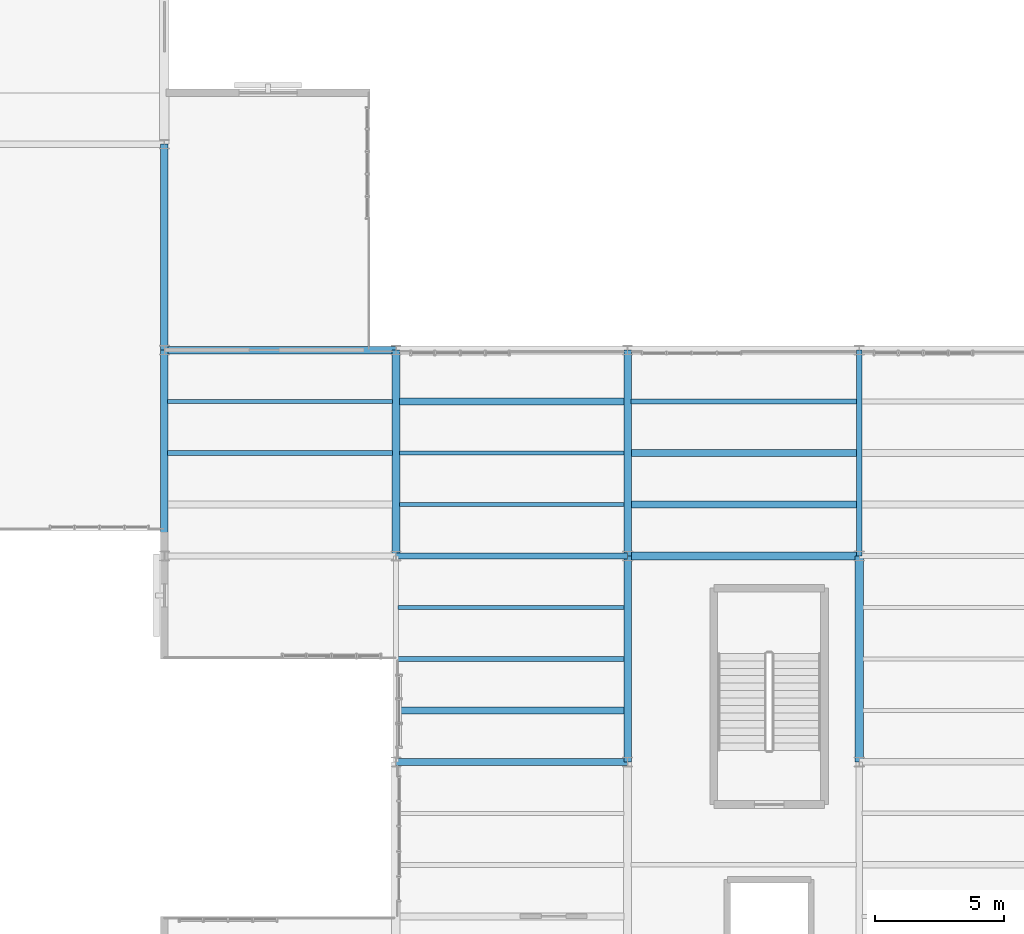
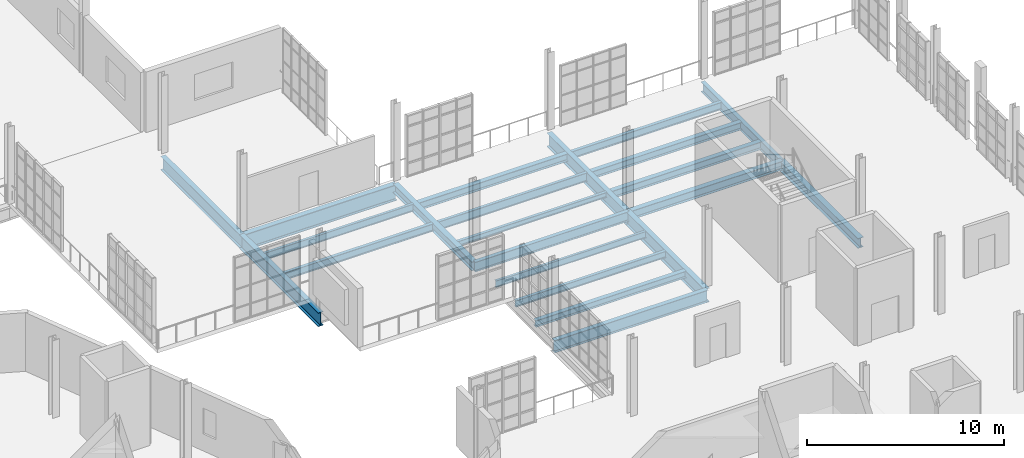
# One storey, part 39 of 122: 22 beams.
"""IFC4 building model written with IfcOpenShell, lengths in metres."""

from ifc_helpers import new_model, si_unit, direction, frame, origin, origin_2d, place, context, subcontext, project, spatial, i_section, extrude, material, material_profile, profile_set, type_object, element, save


model = new_model("IFC4")

# Units and contexts
model_context = context("Model", 3, precision=1e-05, world=origin(), true_north=direction((0.0, 1.0)))
body_context = subcontext(model_context, "Body", "Model", "MODEL_VIEW")
ifc_project = project(units=[si_unit("LENGTHUNIT", "METRE"), si_unit("AREAUNIT", "SQUARE_METRE"), si_unit("VOLUMEUNIT", "CUBIC_METRE"), si_unit("PLANEANGLEUNIT", "RADIAN"), si_unit("MASSUNIT", "GRAM", prefix="KILO"), si_unit("THERMODYNAMICTEMPERATUREUNIT", "KELVIN"), si_unit("POWERUNIT", "WATT")], contexts=[model_context])

# Site, building, storey
site_placement = place(None, origin())
site = spatial("IfcSite", under=ifc_project, at=site_placement, CompositionType="ELEMENT")
building_placement = place(site_placement, origin())
building = spatial("IfcBuilding", under=site, at=building_placement, Name="Zelmaris Science Centre", CompositionType="ELEMENT")
storey_placement = place(building_placement, frame((0.0, 0.0, 10.800048828125)))
storey = spatial("IfcBuildingStorey", under=building, at=storey_placement, Name="L02", CompositionType="ELEMENT", Elevation=10.800048828125)

# Beams
ifc_material = material(Name="Steel ASTM A992 Grade 50", Category="steel")
ifc_material_profile_1 = material_profile(ifc_material, i_section(OverallWidth=0.294921875, OverallDepth=0.85107421875, WebThickness=0.01611328125, FlangeThickness=0.02685546875, FilletRadius=0.02001953125, at=origin_2d()), Name="W33X152")
ifc_profile_set_1 = profile_set([ifc_material_profile_1], Name="Steel ASTM A992 Grade 50")
beam_type_1 = type_object("IfcBeamType", Name="Beam G-06 W33X152", PredefinedType="BEAM", material=ifc_profile_set_1)
beam_1_placement = place(storey_placement, frame((126.0, 40.0, -0.685546875), z_axis=(0.0, 1.0, 0.0), x_axis=(-1.0, 0.0, 0.0)))
element("IfcBeam", 1, at=beam_1_placement, inside=storey, type_object=beam_type_1, Name="L02 North-south girder 529", PredefinedType="BEAM", context=body_context, shape_type="SweptSolid", body=[
    extrude(i_section(OverallWidth=0.294921875, OverallDepth=0.85107421875, WebThickness=0.01611328125, FlangeThickness=0.02685546875, FilletRadius=0.02001953125, at=origin_2d()), origin(), (0.0, 0.0, 1.0), 8.0),
])
ifc_material_profile_2 = material_profile(ifc_material, i_section(OverallWidth=0.2919921875, OverallDepth=0.841064453125, WebThickness=0.0146484375, FlangeThickness=0.021728515625, FilletRadius=0.02001953125, at=origin_2d()), Name="W33X130")
ifc_profile_set_2 = profile_set([ifc_material_profile_2], Name="Steel ASTM A992 Grade 50")
beam_type_2 = type_object("IfcBeamType", Name="Beam G-07 W33X130", PredefinedType="BEAM", material=ifc_profile_set_2)
beam_2_placement = place(storey_placement, frame((126.0, 48.0, -0.6806640625), z_axis=(0.0, 1.0, 0.0), x_axis=(-1.0, 0.0, 0.0)))
element("IfcBeam", 2, at=beam_2_placement, inside=storey, type_object=beam_type_2, Name="L02 North-south girder 530", PredefinedType="BEAM", context=body_context, shape_type="SweptSolid", body=[
    extrude(i_section(OverallWidth=0.2919921875, OverallDepth=0.841064453125, WebThickness=0.0146484375, FlangeThickness=0.021728515625, FilletRadius=0.02001953125, at=origin_2d()), origin(), (0.0, 0.0, 1.0), 8.0),
])
ifc_material_profile_3 = material_profile(ifc_material, i_section(OverallWidth=0.26708984375, OverallDepth=0.757080078125, WebThickness=0.013916015625, FlangeThickness=0.019287109375, FilletRadius=0.01904296875, at=origin_2d()), Name="W30X108")
ifc_profile_set_3 = profile_set([ifc_material_profile_3], Name="Steel ASTM A992 Grade 50")
beam_type_3 = type_object("IfcBeamType", Name="Beam G-10 W30X108", PredefinedType="BEAM", material=ifc_profile_set_3)
beam_3_placement = place(storey_placement, frame((117.0, 40.0, -0.638427734375), z_axis=(1.0, 0.0, 0.0), x_axis=(0.0, 1.0, 0.0)))
element("IfcBeam", 3, at=beam_3_placement, inside=storey, type_object=beam_type_3, Name="L02 East-west girder 563", PredefinedType="BEAM", context=body_context, shape_type="SweptSolid", body=[
    extrude(i_section(OverallWidth=0.26708984375, OverallDepth=0.757080078125, WebThickness=0.013916015625, FlangeThickness=0.019287109375, FilletRadius=0.01904296875, at=origin_2d()), origin(), (0.0, 0.0, 1.0), 9.0),
])
ifc_material_profile_4 = material_profile(ifc_material, i_section(OverallWidth=0.324951171875, OverallDepth=0.612060546875, WebThickness=0.0126953125, FlangeThickness=0.01904296875, FilletRadius=0.014892578125, at=origin_2d()), Name="W24X104")
ifc_profile_set_4 = profile_set([ifc_material_profile_4], Name="Steel ASTM A992 Grade 50")
beam_type_4 = type_object("IfcBeamType", Name="Beam G-15 W24X104", PredefinedType="BEAM", material=ifc_profile_set_4)
beam_4_placement = place(storey_placement, frame((135.0, 40.0, -0.566162109375), z_axis=(0.0, 1.0, 0.0), x_axis=(-1.0, 0.0, 0.0)))
element("IfcBeam", 4, at=beam_4_placement, inside=storey, type_object=beam_type_4, Name="L02 North-south girder 535", PredefinedType="BEAM", context=body_context, shape_type="SweptSolid", body=[
    extrude(i_section(OverallWidth=0.324951171875, OverallDepth=0.612060546875, WebThickness=0.0126953125, FlangeThickness=0.01904296875, FilletRadius=0.014892578125, at=origin_2d()), origin(), (0.0, 0.0, 1.0), 8.0),
])
ifc_material_profile_5 = material_profile(ifc_material, i_section(OverallWidth=0.22900390625, OverallDepth=0.612060546875, WebThickness=0.011962890625, FlangeThickness=0.01953125, FilletRadius=0.014892578125, at=origin_2d()), Name="W24X84")
ifc_profile_set_5 = profile_set([ifc_material_profile_5], Name="Steel ASTM A992 Grade 50")
beam_type_5 = type_object("IfcBeamType", Name="Beam G-16 W24X84", PredefinedType="BEAM", material=ifc_profile_set_5)
beam_5_placement = place(storey_placement, frame((135.0, 48.0, -0.566162109375), z_axis=(0.0, 1.0, 0.0), x_axis=(-1.0, 0.0, 0.0)))
element("IfcBeam", 5, at=beam_5_placement, inside=storey, type_object=beam_type_5, Name="L02 North-south girder 536", PredefinedType="BEAM", context=body_context, shape_type="SweptSolid", body=[
    extrude(i_section(OverallWidth=0.22900390625, OverallDepth=0.612060546875, WebThickness=0.011962890625, FlangeThickness=0.01953125, FilletRadius=0.014892578125, at=origin_2d()), origin(), (0.0, 0.0, 1.0), 8.0),
])
ifc_material_profile_6 = material_profile(ifc_material, i_section(OverallWidth=0.22900390625, OverallDepth=0.60205078125, WebThickness=0.010498046875, FlangeThickness=0.014892578125, FilletRadius=0.014892578125, at=origin_2d()), Name="W24X68")
ifc_profile_set_6 = profile_set([ifc_material_profile_6], Name="Steel ASTM A992 Grade 50")
beam_type_6 = type_object("IfcBeamType", Name="Beam G-17 W24X68", PredefinedType="BEAM", material=ifc_profile_set_6)
beam_6_placement = place(storey_placement, frame((117.0, 48.0, -0.56103515625), z_axis=(1.0, 0.0, 0.0), x_axis=(0.0, 1.0, 0.0)))
element("IfcBeam", 6, at=beam_6_placement, inside=storey, type_object=beam_type_6, Name="L02 East-west girder 568", PredefinedType="BEAM", context=body_context, shape_type="SweptSolid", body=[
    extrude(i_section(OverallWidth=0.22900390625, OverallDepth=0.60205078125, WebThickness=0.010498046875, FlangeThickness=0.014892578125, FilletRadius=0.014892578125, at=origin_2d()), origin(), (0.0, 0.0, 1.0), 9.0),
])
ifc_material_profile_7 = material_profile(ifc_material, i_section(OverallWidth=0.31201171875, OverallDepth=0.5439453125, WebThickness=0.0126953125, FlangeThickness=0.020263671875, FilletRadius=0.013916015625, at=origin_2d()), Name="W21X101")
ifc_profile_set_7 = profile_set([ifc_material_profile_7], Name="Steel ASTM A992 Grade 50")
beam_type_7 = type_object("IfcBeamType", Name="Beam G-18 W21X101", PredefinedType="BEAM", material=ifc_profile_set_7)
beam_7_placement = place(storey_placement, frame((126.0, 48.0, -0.531982421875), z_axis=(1.0, 0.0, 0.0), x_axis=(0.0, 1.0, 0.0)))
element("IfcBeam", 7, at=beam_7_placement, inside=storey, type_object=beam_type_7, Name="L02 East-west girder 569", PredefinedType="BEAM", context=body_context, shape_type="SweptSolid", body=[
    extrude(i_section(OverallWidth=0.31201171875, OverallDepth=0.5439453125, WebThickness=0.0126953125, FlangeThickness=0.020263671875, FilletRadius=0.013916015625, at=origin_2d()), origin(), (0.0, 0.0, 1.0), 9.0),
])
ifc_material_profile_8 = material_profile(ifc_material, i_section(OverallWidth=0.300048828125, OverallDepth=0.990966796875, WebThickness=0.0166015625, FlangeThickness=0.030517578125, FilletRadius=0.02490234375, at=origin_2d()), Name="W40X183")
ifc_profile_set_8 = profile_set([ifc_material_profile_8], Name="Steel ASTM A992 Grade 50")
beam_type_8 = type_object("IfcBeamType", Name="Beam G-24 W40X183", PredefinedType="BEAM", material=ifc_profile_set_8)
beam_8_placement = place(storey_placement, frame((108.0, 56.0, -0.755615234375), z_axis=(1.0, 0.0, 0.0), x_axis=(0.0, 1.0, 0.0)))
element("IfcBeam", 8, at=beam_8_placement, inside=storey, type_object=beam_type_8, Name="L02 East-west girder 571", PredefinedType="BEAM", context=body_context, shape_type="SweptSolid", body=[
    extrude(i_section(OverallWidth=0.300048828125, OverallDepth=0.990966796875, WebThickness=0.0166015625, FlangeThickness=0.030517578125, FilletRadius=0.02490234375, at=origin_2d()), origin(), (0.0, 0.0, 1.0), 9.0),
])
ifc_material_profile_9 = material_profile(ifc_material, i_section(OverallWidth=0.2919921875, OverallDepth=0.85888671875, WebThickness=0.01708984375, FlangeThickness=0.031005859375, FilletRadius=0.02001953125, at=origin_2d()), Name="W33X169")
ifc_profile_set_9 = profile_set([ifc_material_profile_9], Name="Steel ASTM A992 Grade 50")
beam_type_9 = type_object("IfcBeamType", Name="Beam G-29 W33X169", PredefinedType="BEAM", material=ifc_profile_set_9)
beam_9_placement = place(storey_placement, frame((108.0, 48.0, -0.689453125), z_axis=(0.0, 1.0, 0.0), x_axis=(-1.0, 0.0, 0.0)))
element("IfcBeam", 9, at=beam_9_placement, inside=storey, type_object=beam_type_9, Name="L02 North-south girder 514", PredefinedType="BEAM", context=body_context, shape_type="SweptSolid", body=[
    extrude(i_section(OverallWidth=0.2919921875, OverallDepth=0.85888671875, WebThickness=0.01708984375, FlangeThickness=0.031005859375, FilletRadius=0.02001953125, at=origin_2d()), origin(), (0.0, 0.0, 1.0), 8.0),
])
ifc_material_profile_10 = material_profile(ifc_material, i_section(OverallWidth=0.2919921875, OverallDepth=0.8359375, WebThickness=0.013916015625, FlangeThickness=0.018798828125, FilletRadius=0.02001953125, at=origin_2d()), Name="W33X118")
ifc_profile_set_10 = profile_set([ifc_material_profile_10], Name="Steel ASTM A992 Grade 50")
beam_type_10 = type_object("IfcBeamType", Name="Beam G-30 W33X118", PredefinedType="BEAM", material=ifc_profile_set_10)
beam_10_placement = place(storey_placement, frame((108.0, 56.0, -0.677978515625), z_axis=(0.0, 1.0, 0.0), x_axis=(-1.0, 0.0, 0.0)))
element("IfcBeam", 10, at=beam_10_placement, inside=storey, type_object=beam_type_10, Name="L02 North-south girder 515", PredefinedType="BEAM", context=body_context, shape_type="SweptSolid", body=[
    extrude(i_section(OverallWidth=0.2919921875, OverallDepth=0.8359375, WebThickness=0.013916015625, FlangeThickness=0.018798828125, FilletRadius=0.02001953125, at=origin_2d()), origin(), (0.0, 0.0, 1.0), 8.0),
])
ifc_material_profile_11 = material_profile(ifc_material, i_section(OverallWidth=0.31201171875, OverallDepth=0.5458984375, WebThickness=0.013916015625, FlangeThickness=0.022216796875, FilletRadius=0.013916015625, at=origin_2d()), Name="W21X111")
ifc_profile_set_11 = profile_set([ifc_material_profile_11], Name="Steel ASTM A992 Grade 50")
beam_type_11 = type_object("IfcBeamType", Name="Beam G-39 W21X111", PredefinedType="BEAM", material=ifc_profile_set_11)
beam_11_placement = place(storey_placement, frame((117.0, 48.0, -0.532958984375), z_axis=(0.0, 1.0, 0.0), x_axis=(-1.0, 0.0, 0.0)))
element("IfcBeam", 11, at=beam_11_placement, inside=storey, type_object=beam_type_11, Name="L02 North-south girder 524", PredefinedType="BEAM", context=body_context, shape_type="SweptSolid", body=[
    extrude(i_section(OverallWidth=0.31201171875, OverallDepth=0.5458984375, WebThickness=0.013916015625, FlangeThickness=0.022216796875, FilletRadius=0.013916015625, at=origin_2d()), origin(), (0.0, 0.0, 1.0), 8.0),
])
ifc_material_profile_12 = material_profile(ifc_material, i_section(OverallWidth=0.16796875, OverallDepth=0.532958984375, WebThickness=0.01025390625, FlangeThickness=0.0166015625, FilletRadius=0.013916015625, at=origin_2d()), Name="W21X57")
ifc_profile_set_12 = profile_set([ifc_material_profile_12], Name="Steel ASTM A992 Grade 50")
beam_type_12 = type_object("IfcBeamType", Name="Beam J-01 W21X57", PredefinedType="JOIST", material=ifc_profile_set_12)
beam_12_placement = place(storey_placement, frame((117.14111328125, 52.0, -0.526611328125), z_axis=(1.0, 0.0, 0.0), x_axis=(0.0, 1.0, 0.0)))
element("IfcBeam", 12, at=beam_12_placement, inside=storey, type_object=beam_type_12, Name="L02 Composite floor joist 288", PredefinedType="JOIST", context=body_context, shape_type="SweptSolid", body=[
    extrude(i_section(OverallWidth=0.16796875, OverallDepth=0.532958984375, WebThickness=0.01025390625, FlangeThickness=0.0166015625, FilletRadius=0.013916015625, at=origin_2d()), origin(), (0.0, 0.0, 1.0), 8.727783203125),
])
ifc_material_profile_13 = material_profile(ifc_material, i_section(OverallWidth=0.281982421875, OverallDepth=0.471923828125, WebThickness=0.013671875, FlangeThickness=0.022216796875, FilletRadius=0.012939453125, at=origin_2d()), Name="W18X97")
ifc_profile_set_13 = profile_set([ifc_material_profile_13], Name="Steel ASTM A992 Grade 50")
beam_type_13 = type_object("IfcBeamType", Name="Beam J-02 W18X97", PredefinedType="JOIST", material=ifc_profile_set_13)
beam_13_placement = place(storey_placement, frame((117.14111328125, 54.0, -0.49609375), z_axis=(1.0, 0.0, 0.0), x_axis=(0.0, 1.0, 0.0)))
element("IfcBeam", 13, at=beam_13_placement, inside=storey, type_object=beam_type_13, Name="L02 Composite floor joist 289", PredefinedType="JOIST", context=body_context, shape_type="SweptSolid", body=[
    extrude(i_section(OverallWidth=0.281982421875, OverallDepth=0.471923828125, WebThickness=0.013671875, FlangeThickness=0.022216796875, FilletRadius=0.012939453125, at=origin_2d()), origin(), (0.0, 0.0, 1.0), 8.727783203125),
])
beam_14_placement = place(storey_placement, frame((126.131103515625, 50.0, -0.49609375), z_axis=(1.0, 0.0, 0.0), x_axis=(0.0, 1.0, 0.0)))
element("IfcBeam", 14, at=beam_14_placement, inside=storey, type_object=beam_type_13, Name="L02 Composite floor joist 298", PredefinedType="JOIST", context=body_context, shape_type="SweptSolid", body=[
    extrude(i_section(OverallWidth=0.281982421875, OverallDepth=0.471923828125, WebThickness=0.013671875, FlangeThickness=0.022216796875, FilletRadius=0.012939453125, at=origin_2d()), origin(), (0.0, 0.0, 1.0), 8.769287109375),
])
ifc_material_profile_14 = material_profile(ifc_material, i_section(OverallWidth=0.279052734375, OverallDepth=0.4619140625, WebThickness=0.0107421875, FlangeThickness=0.017333984375, FilletRadius=0.012939453125, at=origin_2d()), Name="W18X76")
ifc_profile_set_14 = profile_set([ifc_material_profile_14], Name="Steel ASTM A992 Grade 50")
beam_type_14 = type_object("IfcBeamType", Name="Beam J-03 W18X76", PredefinedType="JOIST", material=ifc_profile_set_14)
beam_15_placement = place(storey_placement, frame((126.131103515625, 52.0, -0.490966796875), z_axis=(1.0, 0.0, 0.0), x_axis=(0.0, 1.0, 0.0)))
element("IfcBeam", 15, at=beam_15_placement, inside=storey, type_object=beam_type_14, Name="L02 Composite floor joist 299", PredefinedType="JOIST", context=body_context, shape_type="SweptSolid", body=[
    extrude(i_section(OverallWidth=0.279052734375, OverallDepth=0.4619140625, WebThickness=0.0107421875, FlangeThickness=0.017333984375, FilletRadius=0.012939453125, at=origin_2d()), origin(), (0.0, 0.0, 1.0), 8.769287109375),
])
ifc_material_profile_15 = material_profile(ifc_material, i_section(OverallWidth=0.19091796875, OverallDepth=0.4599609375, WebThickness=0.010009765625, FlangeThickness=0.01611328125, FilletRadius=0.012939453125, at=origin_2d()), Name="W18X55")
ifc_profile_set_15 = profile_set([ifc_material_profile_15], Name="Steel ASTM A992 Grade 50")
beam_type_15 = type_object("IfcBeamType", Name="Beam J-04 W18X55", PredefinedType="JOIST", material=ifc_profile_set_15)
beam_16_placement = place(storey_placement, frame((108.131103515625, 52.0, -0.489990234375), z_axis=(1.0, 0.0, 0.0), x_axis=(0.0, 1.0, 0.0)))
element("IfcBeam", 16, at=beam_16_placement, inside=storey, type_object=beam_type_15, Name="L02 Composite floor joist 273", PredefinedType="JOIST", context=body_context, shape_type="SweptSolid", body=[
    extrude(i_section(OverallWidth=0.19091796875, OverallDepth=0.4599609375, WebThickness=0.010009765625, FlangeThickness=0.01611328125, FilletRadius=0.012939453125, at=origin_2d()), origin(), (0.0, 0.0, 1.0), 8.727783203125),
])
beam_17_placement = place(storey_placement, frame((126.131103515625, 54.0, -0.489990234375), z_axis=(1.0, 0.0, 0.0), x_axis=(0.0, 1.0, 0.0)))
element("IfcBeam", 17, at=beam_17_placement, inside=storey, type_object=beam_type_15, Name="L02 Composite floor joist 300", PredefinedType="JOIST", context=body_context, shape_type="SweptSolid", body=[
    extrude(i_section(OverallWidth=0.19091796875, OverallDepth=0.4599609375, WebThickness=0.010009765625, FlangeThickness=0.01611328125, FilletRadius=0.012939453125, at=origin_2d()), origin(), (0.0, 0.0, 1.0), 8.769287109375),
])
ifc_material_profile_16 = material_profile(ifc_material, i_section(OverallWidth=0.152099609375, OverallDepth=0.455078125, WebThickness=0.008056640625, FlangeThickness=0.01318359375, FilletRadius=0.012939453125, at=origin_2d()), Name="W18X40")
ifc_profile_set_16 = profile_set([ifc_material_profile_16], Name="Steel ASTM A992 Grade 50")
beam_type_16 = type_object("IfcBeamType", Name="Beam J-05 W18X40", PredefinedType="JOIST", material=ifc_profile_set_16)
beam_18_placement = place(storey_placement, frame((108.131103515625, 54.0, -0.487548828125), z_axis=(1.0, 0.0, 0.0), x_axis=(0.0, 1.0, 0.0)))
element("IfcBeam", 18, at=beam_18_placement, inside=storey, type_object=beam_type_16, Name="L02 Composite floor joist 274", PredefinedType="JOIST", context=body_context, shape_type="SweptSolid", body=[
    extrude(i_section(OverallWidth=0.152099609375, OverallDepth=0.455078125, WebThickness=0.008056640625, FlangeThickness=0.01318359375, FilletRadius=0.012939453125, at=origin_2d()), origin(), (0.0, 0.0, 1.0), 8.727783203125),
])
ifc_material_profile_17 = material_profile(ifc_material, i_section(OverallWidth=0.260009765625, OverallDepth=0.4140625, WebThickness=0.010009765625, FlangeThickness=0.016845703125, FilletRadius=0.011962890625, at=origin_2d()), Name="W16X67")
ifc_profile_set_17 = profile_set([ifc_material_profile_17], Name="Steel ASTM A992 Grade 50")
beam_type_17 = type_object("IfcBeamType", Name="Beam J-06 W16X67", PredefinedType="JOIST", material=ifc_profile_set_17)
beam_19_placement = place(storey_placement, frame((117.073974609375, 42.0, -0.467041015625), z_axis=(1.0, 0.0, 0.0), x_axis=(0.0, 1.0, 0.0)))
element("IfcBeam", 19, at=beam_19_placement, inside=storey, type_object=beam_type_17, Name="L02 Composite floor joist 284", PredefinedType="JOIST", context=body_context, shape_type="SweptSolid", body=[
    extrude(i_section(OverallWidth=0.260009765625, OverallDepth=0.4140625, WebThickness=0.010009765625, FlangeThickness=0.016845703125, FilletRadius=0.011962890625, at=origin_2d()), origin(), (0.0, 0.0, 1.0), 8.79345703125),
])
ifc_material_profile_18 = material_profile(ifc_material, i_section(OverallWidth=0.177978515625, OverallDepth=0.408935546875, WebThickness=0.0087890625, FlangeThickness=0.014404296875, FilletRadius=0.011962890625, at=origin_2d()), Name="W16X45")
ifc_profile_set_18 = profile_set([ifc_material_profile_18], Name="Steel ASTM A992 Grade 50")
beam_type_18 = type_object("IfcBeamType", Name="Beam J-07 W16X45", PredefinedType="JOIST", material=ifc_profile_set_18)
beam_20_placement = place(storey_placement, frame((117.073974609375, 44.0, -0.464599609375), z_axis=(1.0, 0.0, 0.0), x_axis=(0.0, 1.0, 0.0)))
element("IfcBeam", 20, at=beam_20_placement, inside=storey, type_object=beam_type_18, Name="L02 Composite floor joist 285", PredefinedType="JOIST", context=body_context, shape_type="SweptSolid", body=[
    extrude(i_section(OverallWidth=0.177978515625, OverallDepth=0.408935546875, WebThickness=0.0087890625, FlangeThickness=0.014404296875, FilletRadius=0.011962890625, at=origin_2d()), origin(), (0.0, 0.0, 1.0), 8.79345703125),
])
ifc_material_profile_19 = material_profile(ifc_material, i_section(OverallWidth=0.139892578125, OverallDepth=0.404052734375, WebThickness=0.007080078125, FlangeThickness=0.01123046875, FilletRadius=0.011962890625, at=origin_2d()), Name="W16X31")
ifc_profile_set_19 = profile_set([ifc_material_profile_19], Name="Steel ASTM A992 Grade 50")
beam_type_19 = type_object("IfcBeamType", Name="Beam J-08 W16X31", PredefinedType="JOIST", material=ifc_profile_set_19)
beam_21_placement = place(storey_placement, frame((117.073974609375, 46.0, -0.462158203125), z_axis=(1.0, 0.0, 0.0), x_axis=(0.0, 1.0, 0.0)))
element("IfcBeam", 21, at=beam_21_placement, inside=storey, type_object=beam_type_19, Name="L02 Composite floor joist 286", PredefinedType="JOIST", context=body_context, shape_type="SweptSolid", body=[
    extrude(i_section(OverallWidth=0.139892578125, OverallDepth=0.404052734375, WebThickness=0.007080078125, FlangeThickness=0.01123046875, FilletRadius=0.011962890625, at=origin_2d()), origin(), (0.0, 0.0, 1.0), 8.79345703125),
])
ifc_material_profile_20 = material_profile(ifc_material, i_section(OverallWidth=0.1669921875, OverallDepth=0.318115234375, WebThickness=0.007568359375, FlangeThickness=0.01318359375, FilletRadius=0.011962890625, at=origin_2d()), Name="W12X35")
ifc_profile_set_20 = profile_set([ifc_material_profile_20], Name="Steel ASTM A992 Grade 50")
beam_type_20 = type_object("IfcBeamType", Name="Beam J-09 W12X35", PredefinedType="JOIST", material=ifc_profile_set_20)
beam_22_placement = place(storey_placement, frame((117.14111328125, 50.0, -0.4189453125), z_axis=(1.0, 0.0, 0.0), x_axis=(0.0, 1.0, 0.0)))
element("IfcBeam", 22, at=beam_22_placement, inside=storey, type_object=beam_type_20, Name="L02 Composite floor joist 287", PredefinedType="JOIST", context=body_context, shape_type="SweptSolid", body=[
    extrude(i_section(OverallWidth=0.1669921875, OverallDepth=0.318115234375, WebThickness=0.007568359375, FlangeThickness=0.01318359375, FilletRadius=0.011962890625, at=origin_2d()), origin(), (0.0, 0.0, 1.0), 8.727783203125),
])

save(model, "model.ifc")
